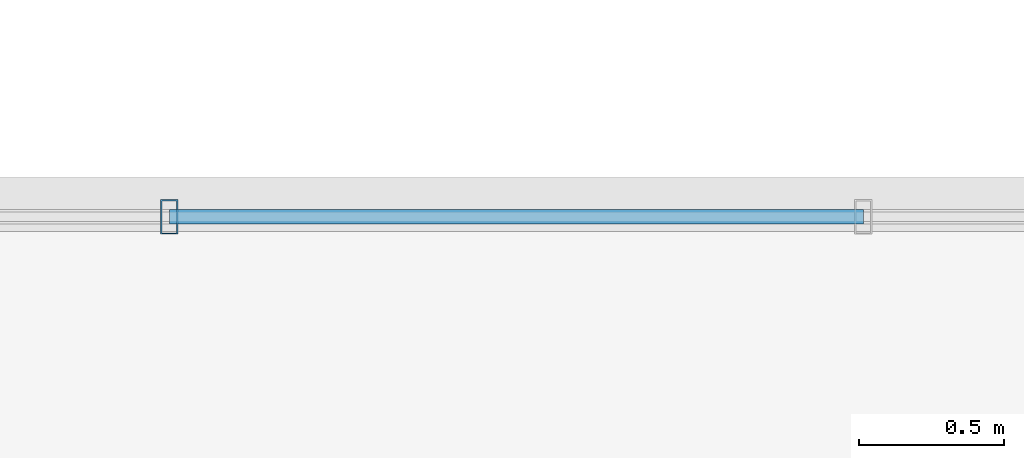
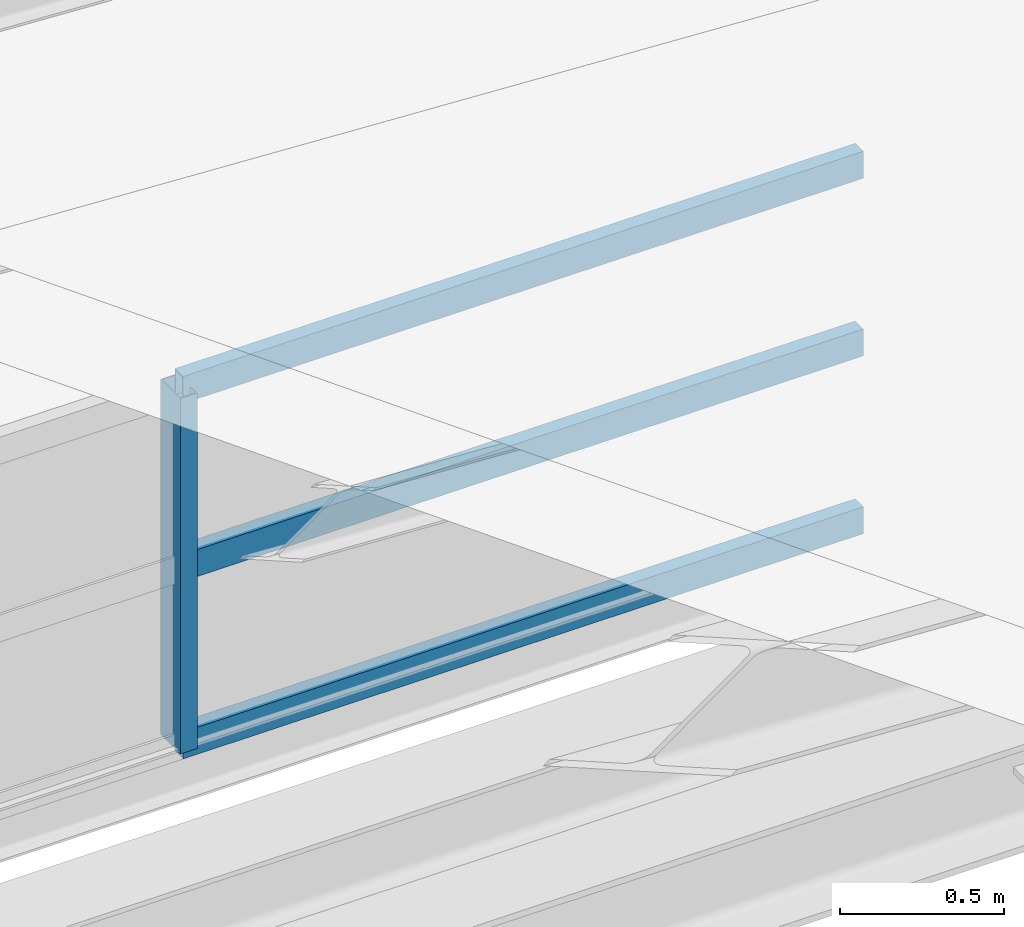
# One storey, part 52 of 141: 4 members, 1 element without a shape of its own.
"""IFC4 building model written with IfcOpenShell, lengths in metres."""

from ifc_helpers import new_model, si_unit, direction, frame, origin, origin_2d, place, context, subcontext, project, spatial, hollow_rectangle, extrude, material, material_profile, profile_set, type_object, element, aggregate, save


model = new_model("IFC4")

# Units and contexts
model_context = context("Model", 3, precision=1e-05, world=origin(), true_north=direction((0.0, 1.0)))
body_context = subcontext(model_context, "Body", "Model", "MODEL_VIEW")
ifc_project = project(units=[si_unit("LENGTHUNIT", "METRE"), si_unit("AREAUNIT", "SQUARE_METRE"), si_unit("VOLUMEUNIT", "CUBIC_METRE"), si_unit("PLANEANGLEUNIT", "RADIAN"), si_unit("MASSUNIT", "GRAM", prefix="KILO")], contexts=[model_context])

# Site, building, storey
site_placement = place(None, origin())
site = spatial("IfcSite", under=ifc_project, at=site_placement, CompositionType="ELEMENT")
building_placement = place(site_placement, origin())
building = spatial("IfcBuilding", under=site, at=building_placement, Name="Sundkrona Museum", CompositionType="ELEMENT")
storey_placement = place(building_placement, frame((0.0, 0.0, 34.0)))
storey = spatial("IfcBuildingStorey", under=building, at=storey_placement, Name="RF", CompositionType="ELEMENT", Elevation=34.0)

# Curtain wall, members
ifc_material_1 = material(Name="Unitised Aluminium-Steel and Ceramic-Clad Curtain Walling", Category="steel")
curtain_wall_type = type_object("IfcCurtainWallType", Name="CW-SW-240x13", PredefinedType="NOTDEFINED", material=ifc_material_1)
curtain_wall_placement = place(storey_placement, origin())
curtain_wall = element("IfcCurtainWall", 1, at=curtain_wall_placement, inside=storey, type_object=curtain_wall_type, Name="Sawtooth Bay 1 East North-Light Clerestory", PredefinedType="NOTDEFINED")
ifc_material_2 = material(Name="Aluminium EN AW-6060 T66", Category="aluminium")
ifc_material_profile_1 = material_profile(ifc_material_2, hollow_rectangle(XDim=0.06005859375, YDim=0.1201171875, WallThickness=0.0048828125, at=origin_2d()), Name="RHS 120x60x5.0")
ifc_profile_set_1 = profile_set([ifc_material_profile_1], Name="Aluminium EN AW-6060 T66")
member_type_1 = type_object("IfcMemberType", Name="ML-120", PredefinedType="MULLION", material=ifc_profile_set_1)
member_1_placement = place(storey_placement, frame((156.0, 2.199951171875, 2.212890625), z_axis=(0.0, 0.0, 1.0), x_axis=(1.0, 0.0, 0.0)))
member_1 = element("IfcMember", 2, at=member_1_placement, type_object=member_type_1, Name="CW-RF-SAW-01E Mullion 06", PredefinedType="MULLION", context=body_context, shape_type="SweptSolid", body=[
    extrude(hollow_rectangle(XDim=0.06005859375, YDim=0.1201171875, WallThickness=0.0048828125, at=origin_2d()), origin(), (0.0, 0.0, 1.0), 1.320068359375),
])
ifc_material_profile_2 = material_profile(ifc_material_2, hollow_rectangle(XDim=0.050048828125, YDim=0.10009765625, WallThickness=0.0048828125, at=origin_2d()), Name="RHS 100x50x5.0")
ifc_profile_set_2 = profile_set([ifc_material_profile_2], Name="Aluminium EN AW-6060 T66")
member_type_2 = type_object("IfcMemberType", Name="TR-100", PredefinedType="USERDEFINED", material=ifc_profile_set_2)
member_2_placement = place(storey_placement, frame((156.0, 2.199951171875, 2.212890625), z_axis=(1.0, 0.0, 0.0), x_axis=(0.0, 1.0, 0.0)))
member_2 = element("IfcMember", 3, at=member_2_placement, type_object=member_type_2, Name="CW-RF-SAW-01E Transom 16", ObjectType="TRANSOM", PredefinedType="USERDEFINED", context=body_context, shape_type="SweptSolid", body=[
    extrude(hollow_rectangle(XDim=0.050048828125, YDim=0.10009765625, WallThickness=0.0048828125, at=origin_2d()), origin(), (0.0, 0.0, 1.0), 2.389892578125),
])
member_3_placement = place(storey_placement, frame((156.0, 2.199951171875, 2.873046875), z_axis=(1.0, 0.0, 0.0), x_axis=(0.0, 1.0, 0.0)))
member_3 = element("IfcMember", 4, at=member_3_placement, type_object=member_type_2, Name="CW-RF-SAW-01E Transom 17", ObjectType="TRANSOM", PredefinedType="USERDEFINED", context=body_context, shape_type="SweptSolid", body=[
    extrude(hollow_rectangle(XDim=0.050048828125, YDim=0.10009765625, WallThickness=0.0048828125, at=origin_2d()), origin(), (0.0, 0.0, 1.0), 2.389892578125),
])
member_4_placement = place(storey_placement, frame((156.0, 2.199951171875, 3.532958984375), z_axis=(1.0, 0.0, 0.0), x_axis=(0.0, 1.0, 0.0)))
member_4 = element("IfcMember", 5, at=member_4_placement, type_object=member_type_2, Name="CW-RF-SAW-01E Transom 18", ObjectType="TRANSOM", PredefinedType="USERDEFINED", context=body_context, shape_type="SweptSolid", body=[
    extrude(hollow_rectangle(XDim=0.050048828125, YDim=0.10009765625, WallThickness=0.0048828125, at=origin_2d()), origin(), (0.0, 0.0, 1.0), 2.389892578125),
])
aggregate(curtain_wall, [member_1, member_2, member_3, member_4])

save(model, "model.ifc")
